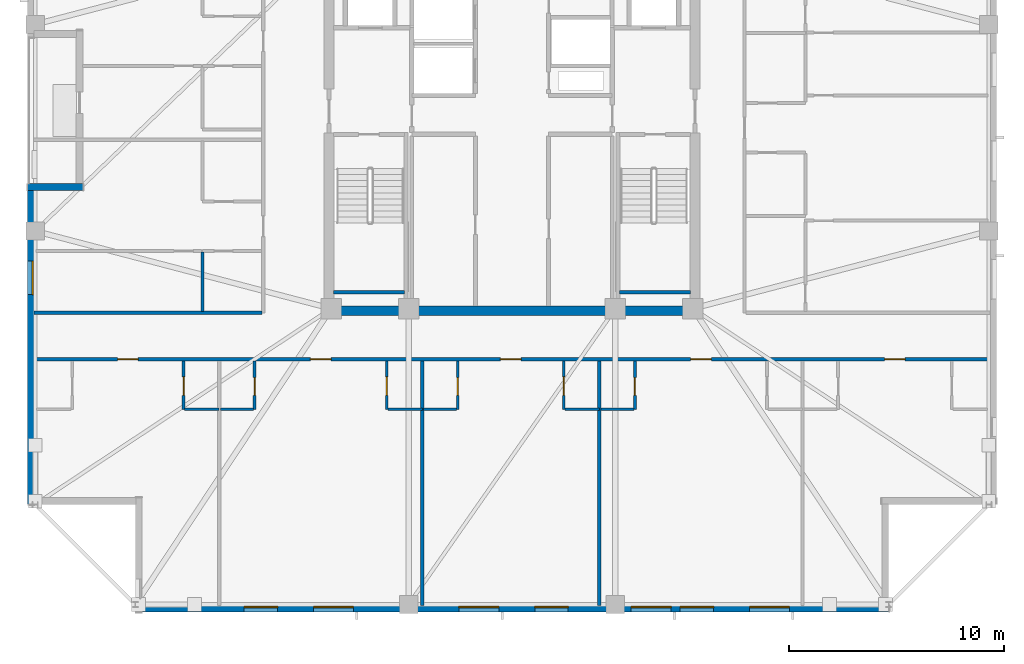
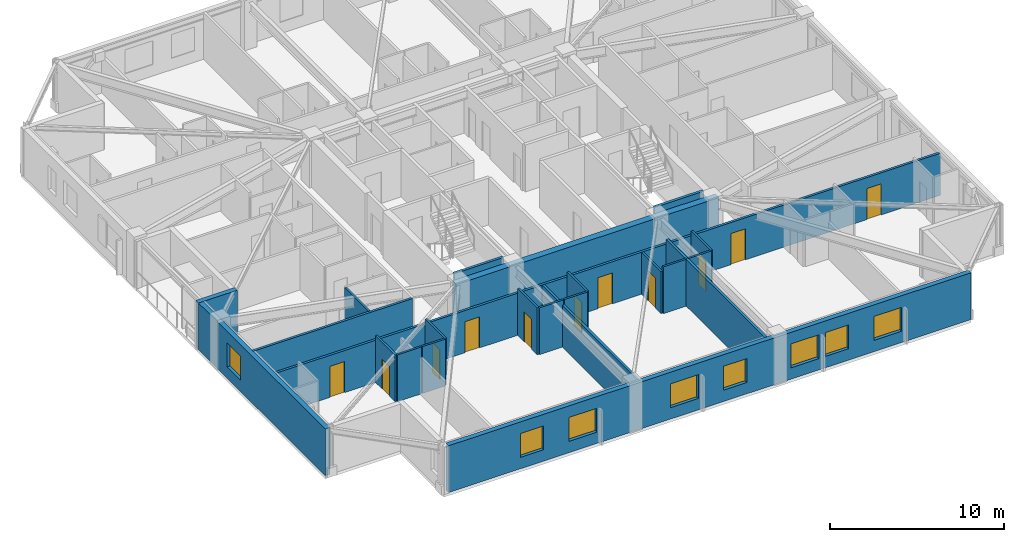
# One storey, part 7 of 17: 23 walls, 11 doors, 8 windows, 19 openings.
"""IFC4 building model written with IfcOpenShell, lengths in metres."""

from ifc_helpers import new_model, si_unit, direction, frame, frame_2d, origin, place, context, subcontext, project, spatial, rectangle, extrude, material, layer, layer_set, type_object, element, fill, save


model = new_model("IFC4")

# Units and contexts
model_context = context("Model", 3, precision=1e-05, world=origin(), true_north=direction((0.0, 1.0)))
body_context = subcontext(model_context, "Body", "Model", "MODEL_VIEW")
ifc_project = project(units=[si_unit("LENGTHUNIT", "METRE"), si_unit("AREAUNIT", "SQUARE_METRE"), si_unit("VOLUMEUNIT", "CUBIC_METRE"), si_unit("PLANEANGLEUNIT", "RADIAN"), si_unit("MASSUNIT", "GRAM", prefix="KILO")], contexts=[model_context])

# Site, building, storey
site_placement = place(None, origin())
site = spatial("IfcSite", under=ifc_project, at=site_placement, CompositionType="ELEMENT")
building_placement = place(site_placement, origin())
building = spatial("IfcBuilding", under=site, at=building_placement, Name="Cairnveth Concourse Tower", CompositionType="ELEMENT")
storey_placement = place(building_placement, frame((0.0, 0.0, 244.5)))
storey = spatial("IfcBuildingStorey", under=building, at=storey_placement, Name="L67", CompositionType="ELEMENT", Elevation=244.5)

# Wall, openings, doors
ifc_material_1 = material(Name="Gypsum Plasterboard Partition", Category="gypsum")
ifc_layer_1 = layer(ifc_material_1, 0.159912109375)
ifc_layer_set_1 = layer_set([ifc_layer_1], Name="Gypsum Plasterboard Partition")
wall_type_1 = type_object("IfcWallType", Name="ACOUSTIC PARTY WALL 180", PredefinedType="PARTITIONING", material=ifc_layer_set_1)
wall_1_placement = place(storey_placement, frame((29.804931640625, 28.25244140625, 0.0), z_axis=(0.0, 0.0, 1.0), x_axis=(1.0, 0.0, 0.0)))
wall_1 = element("IfcWall", 1, at=wall_1_placement, inside=storey, type_object=wall_type_1, Name="Interior Wall IW-L67-034", PredefinedType="PARTITIONING", context=body_context, shape_type="SweptSolid", body=[
    extrude(rectangle(XDim=44.39013671875, YDim=0.159912109375, at=frame_2d((22.195068359375, 0.0))), origin(), (0.0, 0.0, 1.0), 2.9580078125),
])
opening_1_placement = place(wall_1_placement, frame((3.872314453125, 0.0, 0.0)))
opening_1 = element("IfcOpeningElement", 2, at=opening_1_placement, cuts=wall_1, Name="Opening ID10", PredefinedType="OPENING", context=body_context, shape_type="SweptSolid", body=[
    extrude(rectangle(XDim=0.9599609375, YDim=2.179931640625, at=frame_2d((0.47998046875, 1.08984375))), frame((0.0, 0.08984375, 0.0), z_axis=(0.0, -1.0, 0.0), x_axis=(1.0, 0.0, 0.0)), (0.0, 0.0, 1.0), 0.179931640625),
])
opening_2_placement = place(wall_1_placement, frame((12.827880859375, 0.0, 0.0)))
opening_2 = element("IfcOpeningElement", 3, at=opening_2_placement, cuts=wall_1, Name="Opening ID10", PredefinedType="OPENING", context=body_context, shape_type="SweptSolid", body=[
    extrude(rectangle(XDim=0.9599609375, YDim=2.179931640625, at=frame_2d((0.47998046875, 1.08984375))), frame((0.0, 0.08984375, 0.0), z_axis=(0.0, -1.0, 0.0), x_axis=(1.0, 0.0, 0.0)), (0.0, 0.0, 1.0), 0.179931640625),
])
opening_3_placement = place(wall_1_placement, frame((21.659912109375, 0.0, 0.0)))
opening_3 = element("IfcOpeningElement", 4, at=opening_3_placement, cuts=wall_1, Name="Opening ID10", PredefinedType="OPENING", context=body_context, shape_type="SweptSolid", body=[
    extrude(rectangle(XDim=0.9599609375, YDim=2.179931640625, at=frame_2d((0.47998046875, 1.08984375))), frame((0.0, 0.08984375, 0.0), z_axis=(0.0, -1.0, 0.0), x_axis=(1.0, 0.0, 0.0)), (0.0, 0.0, 1.0), 0.179931640625),
])
opening_4_placement = place(wall_1_placement, frame((30.491943359375, 0.0, 0.0)))
opening_4 = element("IfcOpeningElement", 5, at=opening_4_placement, cuts=wall_1, Name="Opening ID10", PredefinedType="OPENING", context=body_context, shape_type="SweptSolid", body=[
    extrude(rectangle(XDim=0.9599609375, YDim=2.179931640625, at=frame_2d((0.47998046875, 1.08984375))), frame((0.0, 0.08984375, 0.0), z_axis=(0.0, -1.0, 0.0), x_axis=(1.0, 0.0, 0.0)), (0.0, 0.0, 1.0), 0.179931640625),
])
opening_5_placement = place(wall_1_placement, frame((39.502685546875, 0.0, 0.0)))
opening_5 = element("IfcOpeningElement", 6, at=opening_5_placement, cuts=wall_1, Name="Opening ID10", PredefinedType="OPENING", context=body_context, shape_type="SweptSolid", body=[
    extrude(rectangle(XDim=0.9599609375, YDim=2.179931640625, at=frame_2d((0.47998046875, 1.08984375))), frame((0.0, 0.08984375, 0.0), z_axis=(0.0, -1.0, 0.0), x_axis=(1.0, 0.0, 0.0)), (0.0, 0.0, 1.0), 0.179931640625),
])
ifc_material_2 = material(Name="Solid Core Hardwood Timber Leaf", Category="wood")
door_type_1 = type_object("IfcDoorType", Name="FLAT ENTRANCE DOOR 960X2150", OperationType="NOTDEFINED", PredefinedType="DOOR", material=ifc_material_2)
door_1_placement = place(opening_1_placement, origin())
door_1 = element("IfcDoor", 7, at=door_1_placement, inside=storey, type_object=door_type_1, Name="Studio L67STS1 Entrance Door", OperationType="SINGLE_SWING_LEFT", OverallHeight=2.179931640625, OverallWidth=0.9599609375, PredefinedType="DOOR", context=body_context, shape_type="SweptSolid", body=[
    extrude(rectangle(XDim=0.9599609375, YDim=2.179931640625, at=frame_2d((0.47998046875, 1.08984375))), frame((0.0, 0.02490234375, 0.0), z_axis=(0.0, -1.0, 0.0), x_axis=(1.0, 0.0, 0.0)), (0.0, 0.0, 1.0), 0.050048828125),
])
fill(opening_1, door_1)
door_2_placement = place(opening_2_placement, origin())
door_2 = element("IfcDoor", 8, at=door_2_placement, inside=storey, type_object=door_type_1, Name="Studio L67STS2 Entrance Door", OperationType="SINGLE_SWING_RIGHT", OverallHeight=2.179931640625, OverallWidth=0.9599609375, PredefinedType="DOOR", context=body_context, shape_type="SweptSolid", body=[
    extrude(rectangle(XDim=0.9599609375, YDim=2.179931640625, at=frame_2d((0.47998046875, 1.08984375))), frame((0.0, 0.02490234375, 0.0), z_axis=(0.0, -1.0, 0.0), x_axis=(1.0, 0.0, 0.0)), (0.0, 0.0, 1.0), 0.050048828125),
])
fill(opening_2, door_2)
door_3_placement = place(opening_3_placement, origin())
door_3 = element("IfcDoor", 9, at=door_3_placement, inside=storey, type_object=door_type_1, Name="Studio L67STS3 Entrance Door", OperationType="SINGLE_SWING_LEFT", OverallHeight=2.179931640625, OverallWidth=0.9599609375, PredefinedType="DOOR", context=body_context, shape_type="SweptSolid", body=[
    extrude(rectangle(XDim=0.9599609375, YDim=2.179931640625, at=frame_2d((0.47998046875, 1.08984375))), frame((0.0, 0.02490234375, 0.0), z_axis=(0.0, -1.0, 0.0), x_axis=(1.0, 0.0, 0.0)), (0.0, 0.0, 1.0), 0.050048828125),
])
fill(opening_3, door_3)
door_4_placement = place(opening_4_placement, origin())
door_4 = element("IfcDoor", 10, at=door_4_placement, inside=storey, type_object=door_type_1, Name="Studio L67STS4 Entrance Door", OperationType="SINGLE_SWING_RIGHT", OverallHeight=2.179931640625, OverallWidth=0.9599609375, PredefinedType="DOOR", context=body_context, shape_type="SweptSolid", body=[
    extrude(rectangle(XDim=0.9599609375, YDim=2.179931640625, at=frame_2d((0.47998046875, 1.08984375))), frame((0.0, 0.02490234375, 0.0), z_axis=(0.0, -1.0, 0.0), x_axis=(1.0, 0.0, 0.0)), (0.0, 0.0, 1.0), 0.050048828125),
])
fill(opening_4, door_4)
door_5_placement = place(opening_5_placement, origin())
door_5 = element("IfcDoor", 11, at=door_5_placement, inside=storey, type_object=door_type_1, Name="Studio L67STS5 Entrance Door", OperationType="SINGLE_SWING_LEFT", OverallHeight=2.179931640625, OverallWidth=0.9599609375, PredefinedType="DOOR", context=body_context, shape_type="SweptSolid", body=[
    extrude(rectangle(XDim=0.9599609375, YDim=2.179931640625, at=frame_2d((0.47998046875, 1.08984375))), frame((0.0, 0.02490234375, 0.0), z_axis=(0.0, -1.0, 0.0), x_axis=(1.0, 0.0, 0.0)), (0.0, 0.0, 1.0), 0.050048828125),
])
fill(opening_5, door_5)

# Walls
wall_2_placement = place(storey_placement, frame((29.804931640625, 30.39990234375, 0.0), z_axis=(0.0, 0.0, 1.0), x_axis=(1.0, 0.0, 0.0)))
element("IfcWall", 12, at=wall_2_placement, inside=storey, type_object=wall_type_1, Name="Interior Wall IW-L67-038", PredefinedType="PARTITIONING", context=body_context, shape_type="SweptSolid", body=[
    extrude(rectangle(XDim=10.580078125, YDim=0.159912109375, at=frame_2d((5.2900390625, 0.0))), origin(), (0.0, 0.0, 1.0), 3.2900390625),
])
wall_3_placement = place(storey_placement, frame((47.83154296875, 16.804931640625, 0.0), z_axis=(0.0, 0.0, 1.0), x_axis=(0.0, 1.0, 0.0)))
element("IfcWall", 13, at=wall_3_placement, inside=storey, type_object=wall_type_1, Name="Interior Wall IW-L67-051", PredefinedType="PARTITIONING", context=body_context, shape_type="SweptSolid", body=[
    extrude(rectangle(XDim=11.36767578125, YDim=0.159912109375, at=frame_2d((5.683837890625, 0.0))), origin(), (0.0, 0.0, 1.0), 2.9580078125),
])
wall_4_placement = place(storey_placement, frame((56.05859375, 16.804931640625, 0.0), z_axis=(0.0, 0.0, 1.0), x_axis=(0.0, 1.0, 0.0)))
element("IfcWall", 14, at=wall_4_placement, inside=storey, type_object=wall_type_1, Name="Interior Wall IW-L67-056", PredefinedType="PARTITIONING", context=body_context, shape_type="SweptSolid", body=[
    extrude(rectangle(XDim=11.36767578125, YDim=0.159912109375, at=frame_2d((5.683837890625, 0.0))), origin(), (0.0, 0.0, 1.0), 3.2900390625),
])
ifc_material_3 = material(Name="Concrete N65 (65 MPa)", Category="concrete")
ifc_layer_2 = layer(ifc_material_3, 0.449951171875)
ifc_layer_set_2 = layer_set([ifc_layer_2], Name="Concrete N65 (65 MPa)")
wall_type_2 = type_object("IfcWallType", Name="CORE SHEAR WALL 450", PredefinedType="SHEAR", material=ifc_layer_set_2)
wall_5_placement = place(storey_placement, frame((43.27490234375, 30.5, 0.0), z_axis=(0.0, 0.0, 1.0), x_axis=(1.0, 0.0, 0.0)))
element("IfcWall", 15, at=wall_5_placement, inside=storey, type_object=wall_type_2, Name="Core South Shear Wall L67", PredefinedType="SHEAR", context=body_context, shape_type="SweptSolid", body=[
    extrude(rectangle(XDim=17.4501953125, YDim=0.449951171875, at=frame_2d((8.72509765625, 0.0))), origin(), (0.0, 0.0, 1.0), 3.2900390625),
])
ifc_material_4 = material(Name="Concrete N50 (50 MPa)", Category="concrete")
ifc_layer_3 = layer(ifc_material_4, 0.179931640625)
ifc_layer_set_3 = layer_set([ifc_layer_3], Name="Concrete N50 (50 MPa)")
wall_type_3 = type_object("IfcWallType", Name="FIRE SHAFT WALL 180", PredefinedType="SOLIDWALL", material=ifc_layer_set_3)
for number, where, z_axis, x_axis, name in (
    (16, (43.715087890625, 31.360107421875, 0.0), (0.0, 0.0, 1.0), (1.0, 0.0, 0.0), "Stair ST-1 Shaft Wall FAR L67"),
    (17, (57.0048828125, 31.360107421875, 0.0), (0.0, 0.0, 1.0), (1.0, 0.0, 0.0), "Stair ST-2 Shaft Wall FAR L67"),
):
    element("IfcWall", number, at=place(storey_placement, frame(where, z_axis=z_axis, x_axis=x_axis)), inside=storey, type_object=wall_type_3, Name=name, PredefinedType="SOLIDWALL", context=body_context, shape_type="SweptSolid", body=[
        extrude(rectangle(XDim=3.280029296875, YDim=0.179931640625, at=frame_2d((1.64013671875, 0.0))), origin(), (0.0, 0.0, 1.0), 3.2900390625),
    ])

# Wall, opening, door
ifc_layer_4 = layer(ifc_material_1, 0.1298828125)
ifc_layer_set_4 = layer_set([ifc_layer_4], Name="Gypsum Plasterboard Partition")
wall_type_4 = type_object("IfcWallType", Name="WET AREA PARTITION 140", PredefinedType="PLUMBINGWALL", material=ifc_layer_set_4)
wall_6_placement = place(storey_placement, frame((36.744384765625, 25.922607421875, 0.0), z_axis=(0.0, 0.0, 1.0), x_axis=(0.0, 1.0, 0.0)))
wall_6 = element("IfcWall", 18, at=wall_6_placement, inside=storey, type_object=wall_type_4, Name="Interior Wall IW-L67-044", PredefinedType="PLUMBINGWALL", context=body_context, shape_type="SweptSolid", body=[
    extrude(rectangle(XDim=2.25, YDim=0.1298828125, at=frame_2d((1.125, 0.0))), origin(), (0.0, 0.0, 1.0), 3.2900390625),
])
opening_6_placement = place(wall_6_placement, frame((0.64990234375, 0.0, 0.0)))
opening_6 = element("IfcOpeningElement", 19, at=opening_6_placement, cuts=wall_6, Name="Opening ID20", PredefinedType="OPENING", context=body_context, shape_type="SweptSolid", body=[
    extrude(rectangle(XDim=0.85009765625, YDim=2.10009765625, at=frame_2d((0.425048828125, 1.050048828125))), frame((0.0, 0.074951171875, 0.0), z_axis=(0.0, -1.0, 0.0), x_axis=(1.0, 0.0, 0.0)), (0.0, 0.0, 1.0), 0.14990234375),
])
door_type_2 = type_object("IfcDoorType", Name="INTERIOR SINGLE DOOR 850X2100", OperationType="NOTDEFINED", PredefinedType="DOOR", material=ifc_material_2)
door_6_placement = place(opening_6_placement, origin())
door_6 = element("IfcDoor", 20, at=door_6_placement, inside=storey, type_object=door_type_2, Name="L67STS1 Kitchen Door", OperationType="SINGLE_SWING_RIGHT", OverallHeight=2.10009765625, OverallWidth=0.85009765625, PredefinedType="DOOR", context=body_context, shape_type="SweptSolid", body=[
    extrude(rectangle(XDim=0.85009765625, YDim=2.10009765625, at=frame_2d((0.425048828125, 1.050048828125))), frame((0.0, 0.02490234375, 0.0), z_axis=(0.0, -1.0, 0.0), x_axis=(1.0, 0.0, 0.0)), (0.0, 0.0, 1.0), 0.050048828125),
])
fill(opening_6, door_6)

# Wall
wall_7_placement = place(storey_placement, frame((36.79443359375, 25.922607421875, 0.0), z_axis=(0.0, 0.0, 1.0), x_axis=(1.0, 0.0, 0.0)))
element("IfcWall", 21, at=wall_7_placement, inside=storey, type_object=wall_type_4, Name="Interior Wall IW-L67-045", PredefinedType="PLUMBINGWALL", context=body_context, shape_type="SweptSolid", body=[
    extrude(rectangle(XDim=1.60009765625, YDim=0.1298828125, at=frame_2d((0.800048828125, 0.0))), origin(), (0.0, 0.0, 1.0), 3.2900390625),
])

# Wall, opening, door
wall_8_placement = place(storey_placement, frame((40.04443359375, 25.922607421875, 0.0), z_axis=(0.0, 0.0, 1.0), x_axis=(0.0, 1.0, 0.0)))
wall_8 = element("IfcWall", 22, at=wall_8_placement, inside=storey, type_object=wall_type_4, Name="Interior Wall IW-L67-047", PredefinedType="PLUMBINGWALL", context=body_context, shape_type="SweptSolid", body=[
    extrude(rectangle(XDim=2.25, YDim=0.1298828125, at=frame_2d((1.125, 0.0))), origin(), (0.0, 0.0, 1.0), 3.2900390625),
])
opening_7_placement = place(wall_8_placement, frame((0.64990234375, 0.0, 0.0)))
opening_7 = element("IfcOpeningElement", 23, at=opening_7_placement, cuts=wall_8, Name="Opening ID22", PredefinedType="OPENING", context=body_context, shape_type="SweptSolid", body=[
    extrude(rectangle(XDim=0.820068359375, YDim=2.10009765625, at=frame_2d((0.41015625, 1.050048828125))), frame((0.0, 0.074951171875, 0.0), z_axis=(0.0, -1.0, 0.0), x_axis=(1.0, 0.0, 0.0)), (0.0, 0.0, 1.0), 0.14990234375),
])
door_type_3 = type_object("IfcDoorType", Name="INTERIOR WC DOOR 820X2100", OperationType="NOTDEFINED", PredefinedType="DOOR", material=ifc_material_2)
door_7_placement = place(opening_7_placement, origin())
door_7 = element("IfcDoor", 24, at=door_7_placement, inside=storey, type_object=door_type_3, Name="L67STS2 Bathroom Door", OperationType="SINGLE_SWING_RIGHT", OverallHeight=2.10009765625, OverallWidth=0.820068359375, PredefinedType="DOOR", context=body_context, shape_type="SweptSolid", body=[
    extrude(rectangle(XDim=0.820068359375, YDim=2.10009765625, at=frame_2d((0.41015625, 1.050048828125))), frame((0.0, 0.02490234375, 0.0), z_axis=(0.0, -1.0, 0.0), x_axis=(1.0, 0.0, 0.0)), (0.0, 0.0, 1.0), 0.050048828125),
])
fill(opening_7, door_7)

# Wall
wall_9_placement = place(storey_placement, frame((38.45947265625, 25.922607421875, 0.0), z_axis=(0.0, 0.0, 1.0), x_axis=(1.0, 0.0, 0.0)))
element("IfcWall", 25, at=wall_9_placement, inside=storey, type_object=wall_type_4, Name="Interior Wall IW-L67-048", PredefinedType="PLUMBINGWALL", context=body_context, shape_type="SweptSolid", body=[
    extrude(rectangle(XDim=1.534912109375, YDim=0.1298828125, at=frame_2d((0.767578125, 0.0))), origin(), (0.0, 0.0, 1.0), 3.2900390625),
])

# Wall, opening, door
wall_10_placement = place(storey_placement, frame((46.181396484375, 25.922607421875, 0.0), z_axis=(0.0, 0.0, 1.0), x_axis=(0.0, 1.0, 0.0)))
wall_10 = element("IfcWall", 26, at=wall_10_placement, inside=storey, type_object=wall_type_4, Name="Interior Wall IW-L67-049", PredefinedType="PLUMBINGWALL", context=body_context, shape_type="SweptSolid", body=[
    extrude(rectangle(XDim=2.25, YDim=0.1298828125, at=frame_2d((1.125, 0.0))), origin(), (0.0, 0.0, 1.0), 3.2900390625),
])
opening_8_placement = place(wall_10_placement, frame((0.64990234375, 0.0, 0.0)))
opening_8 = element("IfcOpeningElement", 27, at=opening_8_placement, cuts=wall_10, Name="Opening ID20", PredefinedType="OPENING", context=body_context, shape_type="SweptSolid", body=[
    extrude(rectangle(XDim=0.85009765625, YDim=2.10009765625, at=frame_2d((0.425048828125, 1.050048828125))), frame((0.0, 0.074951171875, 0.0), z_axis=(0.0, -1.0, 0.0), x_axis=(1.0, 0.0, 0.0)), (0.0, 0.0, 1.0), 0.14990234375),
])
door_8_placement = place(opening_8_placement, origin())
door_8 = element("IfcDoor", 28, at=door_8_placement, inside=storey, type_object=door_type_2, Name="L67STS2 Kitchen Door", OperationType="SINGLE_SWING_LEFT", OverallHeight=2.10009765625, OverallWidth=0.85009765625, PredefinedType="DOOR", context=body_context, shape_type="SweptSolid", body=[
    extrude(rectangle(XDim=0.85009765625, YDim=2.10009765625, at=frame_2d((0.425048828125, 1.050048828125))), frame((0.0, 0.02490234375, 0.0), z_axis=(0.0, -1.0, 0.0), x_axis=(1.0, 0.0, 0.0)), (0.0, 0.0, 1.0), 0.050048828125),
])
fill(opening_8, door_8)

# Wall
wall_11_placement = place(storey_placement, frame((46.2314453125, 25.922607421875, 0.0), z_axis=(0.0, 0.0, 1.0), x_axis=(1.0, 0.0, 0.0)))
element("IfcWall", 29, at=wall_11_placement, inside=storey, type_object=wall_type_4, Name="Interior Wall IW-L67-050", PredefinedType="PLUMBINGWALL", context=body_context, shape_type="SweptSolid", body=[
    extrude(rectangle(XDim=1.60009765625, YDim=0.1298828125, at=frame_2d((0.800048828125, 0.0))), origin(), (0.0, 0.0, 1.0), 3.2900390625),
])

# Wall, opening, door
wall_12_placement = place(storey_placement, frame((49.4814453125, 25.922607421875, 0.0), z_axis=(0.0, 0.0, 1.0), x_axis=(0.0, 1.0, 0.0)))
wall_12 = element("IfcWall", 30, at=wall_12_placement, inside=storey, type_object=wall_type_4, Name="Interior Wall IW-L67-052", PredefinedType="PLUMBINGWALL", context=body_context, shape_type="SweptSolid", body=[
    extrude(rectangle(XDim=2.25, YDim=0.1298828125, at=frame_2d((1.125, 0.0))), origin(), (0.0, 0.0, 1.0), 3.2900390625),
])
opening_9_placement = place(wall_12_placement, frame((0.64990234375, 0.0, 0.0)))
opening_9 = element("IfcOpeningElement", 31, at=opening_9_placement, cuts=wall_12, Name="Opening ID22", PredefinedType="OPENING", context=body_context, shape_type="SweptSolid", body=[
    extrude(rectangle(XDim=0.820068359375, YDim=2.10009765625, at=frame_2d((0.41015625, 1.050048828125))), frame((0.0, 0.074951171875, 0.0), z_axis=(0.0, -1.0, 0.0), x_axis=(1.0, 0.0, 0.0)), (0.0, 0.0, 1.0), 0.14990234375),
])
door_9_placement = place(opening_9_placement, origin())
door_9 = element("IfcDoor", 32, at=door_9_placement, inside=storey, type_object=door_type_3, Name="L67STS3 Bathroom Door", OperationType="SINGLE_SWING_LEFT", OverallHeight=2.10009765625, OverallWidth=0.820068359375, PredefinedType="DOOR", context=body_context, shape_type="SweptSolid", body=[
    extrude(rectangle(XDim=0.820068359375, YDim=2.10009765625, at=frame_2d((0.41015625, 1.050048828125))), frame((0.0, 0.02490234375, 0.0), z_axis=(0.0, -1.0, 0.0), x_axis=(1.0, 0.0, 0.0)), (0.0, 0.0, 1.0), 0.050048828125),
])
fill(opening_9, door_9)

# Wall
wall_13_placement = place(storey_placement, frame((47.896484375, 25.922607421875, 0.0), z_axis=(0.0, 0.0, 1.0), x_axis=(1.0, 0.0, 0.0)))
element("IfcWall", 33, at=wall_13_placement, inside=storey, type_object=wall_type_4, Name="Interior Wall IW-L67-053", PredefinedType="PLUMBINGWALL", context=body_context, shape_type="SweptSolid", body=[
    extrude(rectangle(XDim=1.534912109375, YDim=0.1298828125, at=frame_2d((0.767578125, 0.0))), origin(), (0.0, 0.0, 1.0), 3.2900390625),
])

# Wall, opening, door
wall_14_placement = place(storey_placement, frame((54.408447265625, 25.922607421875, 0.0), z_axis=(0.0, 0.0, 1.0), x_axis=(0.0, 1.0, 0.0)))
wall_14 = element("IfcWall", 34, at=wall_14_placement, inside=storey, type_object=wall_type_4, Name="Interior Wall IW-L67-054", PredefinedType="PLUMBINGWALL", context=body_context, shape_type="SweptSolid", body=[
    extrude(rectangle(XDim=2.25, YDim=0.1298828125, at=frame_2d((1.125, 0.0))), origin(), (0.0, 0.0, 1.0), 2.9580078125),
])
opening_10_placement = place(wall_14_placement, frame((0.64990234375, 0.0, 0.0)))
opening_10 = element("IfcOpeningElement", 35, at=opening_10_placement, cuts=wall_14, Name="Opening ID20", PredefinedType="OPENING", context=body_context, shape_type="SweptSolid", body=[
    extrude(rectangle(XDim=0.85009765625, YDim=2.10009765625, at=frame_2d((0.425048828125, 1.050048828125))), frame((0.0, 0.074951171875, 0.0), z_axis=(0.0, -1.0, 0.0), x_axis=(1.0, 0.0, 0.0)), (0.0, 0.0, 1.0), 0.14990234375),
])
door_10_placement = place(opening_10_placement, origin())
door_10 = element("IfcDoor", 36, at=door_10_placement, inside=storey, type_object=door_type_2, Name="L67STS3 Kitchen Door", OperationType="SINGLE_SWING_RIGHT", OverallHeight=2.10009765625, OverallWidth=0.85009765625, PredefinedType="DOOR", context=body_context, shape_type="SweptSolid", body=[
    extrude(rectangle(XDim=0.85009765625, YDim=2.10009765625, at=frame_2d((0.425048828125, 1.050048828125))), frame((0.0, 0.02490234375, 0.0), z_axis=(0.0, -1.0, 0.0), x_axis=(1.0, 0.0, 0.0)), (0.0, 0.0, 1.0), 0.050048828125),
])
fill(opening_10, door_10)

# Wall
wall_15_placement = place(storey_placement, frame((54.45849609375, 25.922607421875, 0.0), z_axis=(0.0, 0.0, 1.0), x_axis=(1.0, 0.0, 0.0)))
element("IfcWall", 37, at=wall_15_placement, inside=storey, type_object=wall_type_4, Name="Interior Wall IW-L67-055", PredefinedType="PLUMBINGWALL", context=body_context, shape_type="SweptSolid", body=[
    extrude(rectangle(XDim=1.60009765625, YDim=0.1298828125, at=frame_2d((0.800048828125, 0.0))), origin(), (0.0, 0.0, 1.0), 3.2900390625),
])

# Wall, opening, door
wall_16_placement = place(storey_placement, frame((57.70849609375, 25.922607421875, 0.0), z_axis=(0.0, 0.0, 1.0), x_axis=(0.0, 1.0, 0.0)))
wall_16 = element("IfcWall", 38, at=wall_16_placement, inside=storey, type_object=wall_type_4, Name="Interior Wall IW-L67-057", PredefinedType="PLUMBINGWALL", context=body_context, shape_type="SweptSolid", body=[
    extrude(rectangle(XDim=2.25, YDim=0.1298828125, at=frame_2d((1.125, 0.0))), origin(), (0.0, 0.0, 1.0), 3.2900390625),
])
opening_11_placement = place(wall_16_placement, frame((0.64990234375, 0.0, 0.0)))
opening_11 = element("IfcOpeningElement", 39, at=opening_11_placement, cuts=wall_16, Name="Opening ID22", PredefinedType="OPENING", context=body_context, shape_type="SweptSolid", body=[
    extrude(rectangle(XDim=0.820068359375, YDim=2.10009765625, at=frame_2d((0.41015625, 1.050048828125))), frame((0.0, 0.074951171875, 0.0), z_axis=(0.0, -1.0, 0.0), x_axis=(1.0, 0.0, 0.0)), (0.0, 0.0, 1.0), 0.14990234375),
])
door_11_placement = place(opening_11_placement, origin())
door_11 = element("IfcDoor", 40, at=door_11_placement, inside=storey, type_object=door_type_3, Name="L67STS4 Bathroom Door", OperationType="SINGLE_SWING_RIGHT", OverallHeight=2.10009765625, OverallWidth=0.820068359375, PredefinedType="DOOR", context=body_context, shape_type="SweptSolid", body=[
    extrude(rectangle(XDim=0.820068359375, YDim=2.10009765625, at=frame_2d((0.41015625, 1.050048828125))), frame((0.0, 0.02490234375, 0.0), z_axis=(0.0, -1.0, 0.0), x_axis=(1.0, 0.0, 0.0)), (0.0, 0.0, 1.0), 0.050048828125),
])
fill(opening_11, door_11)

# Walls
wall_17_placement = place(storey_placement, frame((56.12353515625, 25.922607421875, 0.0), z_axis=(0.0, 0.0, 1.0), x_axis=(1.0, 0.0, 0.0)))
element("IfcWall", 41, at=wall_17_placement, inside=storey, type_object=wall_type_4, Name="Interior Wall IW-L67-058", PredefinedType="PLUMBINGWALL", context=body_context, shape_type="SweptSolid", body=[
    extrude(rectangle(XDim=1.534912109375, YDim=0.1298828125, at=frame_2d((0.767578125, 0.0))), origin(), (0.0, 0.0, 1.0), 3.2900390625),
])
wall_18_placement = place(storey_placement, frame((37.6201171875, 30.465087890625, 0.0), z_axis=(0.0, 0.0, 1.0), x_axis=(0.0, 1.0, 0.0)))
element("IfcWall", 42, at=wall_18_placement, inside=storey, type_object=wall_type_4, Name="Interior Wall IW-L67-097", PredefinedType="PLUMBINGWALL", context=body_context, shape_type="SweptSolid", body=[
    extrude(rectangle(XDim=2.760009765625, YDim=0.1298828125, at=frame_2d((1.3798828125, 0.0))), origin(), (0.0, 0.0, 1.0), 3.2900390625),
])

# Wall, openings, windows
ifc_material_5 = material(Name="Melbourne Buff Fired Clay Brick Masonry", Category="masonry")
ifc_layer_5 = layer(ifc_material_5, 0.320068359375)
ifc_layer_set_5 = layer_set([ifc_layer_5], Name="Melbourne Buff Fired Clay Brick Masonry")
wall_type_5 = type_object("IfcWallType", Name="ZONE 3 BRICK PIER SPANDREL WALL 320", PredefinedType="SOLIDWALL", material=ifc_layer_set_5)
wall_19_placement = place(storey_placement, frame((69.5, 16.659912109375, 0.0), z_axis=(0.0, 0.0, 1.0), x_axis=(-1.0, 0.0, 0.0)))
wall_19 = element("IfcWall", 43, at=wall_19_placement, inside=storey, type_object=wall_type_5, Name="Exterior Wall EW-L67-S09", PredefinedType="SOLIDWALL", context=body_context, shape_type="SweptSolid", body=[
    extrude(rectangle(XDim=34.701904296875, YDim=0.320068359375, at=frame_2d((17.35107421875, 0.0))), origin(), (0.0, 0.0, 1.0), 3.2900390625),
])
opening_12_placement = place(wall_19_placement, frame((4.612548828125, 0.0, 0.800048828125)))
opening_12 = element("IfcOpeningElement", 44, at=opening_12_placement, cuts=wall_19, Name="Opening W08", PredefinedType="OPENING", context=body_context, shape_type="SweptSolid", body=[
    extrude(rectangle(XDim=1.85009765625, YDim=1.677978515625, at=frame_2d((0.925048828125, 0.8388671875))), frame((0.0, 0.169921875, 0.0), z_axis=(0.0, -1.0, 0.0), x_axis=(1.0, 0.0, 0.0)), (0.0, 0.0, 1.0), 0.340087890625),
])
opening_13_placement = place(wall_19_placement, frame((8.137939453125, 0.0, 0.800048828125)))
opening_13 = element("IfcOpeningElement", 45, at=opening_13_placement, cuts=wall_19, Name="Opening W07", PredefinedType="OPENING", context=body_context, shape_type="SweptSolid", body=[
    extrude(rectangle(XDim=1.550048828125, YDim=1.677978515625, at=frame_2d((0.77490234375, 0.8388671875))), frame((0.0, 0.169921875, 0.0), z_axis=(0.0, -1.0, 0.0), x_axis=(1.0, 0.0, 0.0)), (0.0, 0.0, 1.0), 0.340087890625),
])
opening_14_placement = place(wall_19_placement, frame((10.113037109375, 0.0, 0.800048828125)))
opening_14 = element("IfcOpeningElement", 46, at=opening_14_placement, cuts=wall_19, Name="Opening W08", PredefinedType="OPENING", context=body_context, shape_type="SweptSolid", body=[
    extrude(rectangle(XDim=1.85009765625, YDim=1.677978515625, at=frame_2d((0.925048828125, 0.8388671875))), frame((0.0, 0.169921875, 0.0), z_axis=(0.0, -1.0, 0.0), x_axis=(1.0, 0.0, 0.0)), (0.0, 0.0, 1.0), 0.340087890625),
])
opening_15_placement = place(wall_19_placement, frame((14.888427734375, 0.0, 0.800048828125)))
opening_15 = element("IfcOpeningElement", 47, at=opening_15_placement, cuts=wall_19, Name="Opening W07", PredefinedType="OPENING", context=body_context, shape_type="SweptSolid", body=[
    extrude(rectangle(XDim=1.550048828125, YDim=1.677978515625, at=frame_2d((0.77490234375, 0.8388671875))), frame((0.0, 0.169921875, 0.0), z_axis=(0.0, -1.0, 0.0), x_axis=(1.0, 0.0, 0.0)), (0.0, 0.0, 1.0), 0.340087890625),
])
opening_16_placement = place(wall_19_placement, frame((18.113525390625, 0.0, 0.800048828125)))
opening_16 = element("IfcOpeningElement", 48, at=opening_16_placement, cuts=wall_19, Name="Opening W08", PredefinedType="OPENING", context=body_context, shape_type="SweptSolid", body=[
    extrude(rectangle(XDim=1.85009765625, YDim=1.677978515625, at=frame_2d((0.925048828125, 0.8388671875))), frame((0.0, 0.169921875, 0.0), z_axis=(0.0, -1.0, 0.0), x_axis=(1.0, 0.0, 0.0)), (0.0, 0.0, 1.0), 0.340087890625),
])
opening_17_placement = place(wall_19_placement, frame((24.864013671875, 0.0, 0.800048828125)))
opening_17 = element("IfcOpeningElement", 49, at=opening_17_placement, cuts=wall_19, Name="Opening W08", PredefinedType="OPENING", context=body_context, shape_type="SweptSolid", body=[
    extrude(rectangle(XDim=1.85009765625, YDim=1.677978515625, at=frame_2d((0.925048828125, 0.8388671875))), frame((0.0, 0.169921875, 0.0), z_axis=(0.0, -1.0, 0.0), x_axis=(1.0, 0.0, 0.0)), (0.0, 0.0, 1.0), 0.340087890625),
])
opening_18_placement = place(wall_19_placement, frame((28.389404296875, 0.0, 0.800048828125)))
opening_18 = element("IfcOpeningElement", 50, at=opening_18_placement, cuts=wall_19, Name="Opening W07", PredefinedType="OPENING", context=body_context, shape_type="SweptSolid", body=[
    extrude(rectangle(XDim=1.550048828125, YDim=1.677978515625, at=frame_2d((0.77490234375, 0.8388671875))), frame((0.0, 0.169921875, 0.0), z_axis=(0.0, -1.0, 0.0), x_axis=(1.0, 0.0, 0.0)), (0.0, 0.0, 1.0), 0.340087890625),
])
ifc_material_6 = material(Name="Double Glazed Low-E Clear Glass", Category="glass")
window_type_1 = type_object("IfcWindowType", Name="DEEP-SET APARTMENT LIVING WINDOW 1850X1850", PartitioningType="DOUBLE_PANEL_VERTICAL", PredefinedType="WINDOW", material=ifc_material_6)
window_1_placement = place(opening_12_placement, origin())
window_1 = element("IfcWindow", 51, at=window_1_placement, inside=storey, type_object=window_type_1, Name="Gothic Lancet Window L67-9-1", OverallHeight=1.677978515625, OverallWidth=1.85009765625, PartitioningType="SINGLE_PANEL", PredefinedType="WINDOW", context=body_context, shape_type="SweptSolid", body=[
    extrude(rectangle(XDim=1.85009765625, YDim=1.677978515625, at=frame_2d((0.925048828125, 0.8388671875))), frame((0.0, -0.050048828125, 0.0), z_axis=(0.0, -1.0, 0.0), x_axis=(1.0, 0.0, 0.0)), (0.0, 0.0, 1.0), 0.06005859375),
])
fill(opening_12, window_1)
window_2_placement = place(opening_14_placement, origin())
window_2 = element("IfcWindow", 52, at=window_2_placement, inside=storey, type_object=window_type_1, Name="Gothic Lancet Window L67-9-3", OverallHeight=1.677978515625, OverallWidth=1.85009765625, PartitioningType="SINGLE_PANEL", PredefinedType="WINDOW", context=body_context, shape_type="SweptSolid", body=[
    extrude(rectangle(XDim=1.85009765625, YDim=1.677978515625, at=frame_2d((0.925048828125, 0.8388671875))), frame((0.0, -0.050048828125, 0.0), z_axis=(0.0, -1.0, 0.0), x_axis=(1.0, 0.0, 0.0)), (0.0, 0.0, 1.0), 0.06005859375),
])
fill(opening_14, window_2)
window_3_placement = place(opening_16_placement, origin())
window_3 = element("IfcWindow", 53, at=window_3_placement, inside=storey, type_object=window_type_1, Name="Gothic Lancet Window L67-9-5", OverallHeight=1.677978515625, OverallWidth=1.85009765625, PartitioningType="SINGLE_PANEL", PredefinedType="WINDOW", context=body_context, shape_type="SweptSolid", body=[
    extrude(rectangle(XDim=1.85009765625, YDim=1.677978515625, at=frame_2d((0.925048828125, 0.8388671875))), frame((0.0, -0.050048828125, 0.0), z_axis=(0.0, -1.0, 0.0), x_axis=(1.0, 0.0, 0.0)), (0.0, 0.0, 1.0), 0.06005859375),
])
fill(opening_16, window_3)
window_4_placement = place(opening_17_placement, origin())
window_4 = element("IfcWindow", 54, at=window_4_placement, inside=storey, type_object=window_type_1, Name="Gothic Lancet Window L67-9-7", OverallHeight=1.677978515625, OverallWidth=1.85009765625, PartitioningType="SINGLE_PANEL", PredefinedType="WINDOW", context=body_context, shape_type="SweptSolid", body=[
    extrude(rectangle(XDim=1.85009765625, YDim=1.677978515625, at=frame_2d((0.925048828125, 0.8388671875))), frame((0.0, -0.050048828125, 0.0), z_axis=(0.0, -1.0, 0.0), x_axis=(1.0, 0.0, 0.0)), (0.0, 0.0, 1.0), 0.06005859375),
])
fill(opening_17, window_4)
window_type_2 = type_object("IfcWindowType", Name="DEEP-SET APARTMENT WINDOW 1550X1800", PartitioningType="DOUBLE_PANEL_VERTICAL", PredefinedType="WINDOW", material=ifc_material_6)
window_5_placement = place(opening_13_placement, origin())
window_5 = element("IfcWindow", 55, at=window_5_placement, inside=storey, type_object=window_type_2, Name="Gothic Lancet Window L67-9-2", OverallHeight=1.677978515625, OverallWidth=1.550048828125, PartitioningType="SINGLE_PANEL", PredefinedType="WINDOW", context=body_context, shape_type="SweptSolid", body=[
    extrude(rectangle(XDim=1.550048828125, YDim=1.677978515625, at=frame_2d((0.77490234375, 0.8388671875))), frame((0.0, -0.050048828125, 0.0), z_axis=(0.0, -1.0, 0.0), x_axis=(1.0, 0.0, 0.0)), (0.0, 0.0, 1.0), 0.06005859375),
])
fill(opening_13, window_5)
window_6_placement = place(opening_15_placement, origin())
window_6 = element("IfcWindow", 56, at=window_6_placement, inside=storey, type_object=window_type_2, Name="Gothic Lancet Window L67-9-4", OverallHeight=1.677978515625, OverallWidth=1.550048828125, PartitioningType="SINGLE_PANEL", PredefinedType="WINDOW", context=body_context, shape_type="SweptSolid", body=[
    extrude(rectangle(XDim=1.550048828125, YDim=1.677978515625, at=frame_2d((0.77490234375, 0.8388671875))), frame((0.0, -0.050048828125, 0.0), z_axis=(0.0, -1.0, 0.0), x_axis=(1.0, 0.0, 0.0)), (0.0, 0.0, 1.0), 0.06005859375),
])
fill(opening_15, window_6)
window_7_placement = place(opening_18_placement, origin())
window_7 = element("IfcWindow", 57, at=window_7_placement, inside=storey, type_object=window_type_2, Name="Gothic Lancet Window L67-9-8", OverallHeight=1.677978515625, OverallWidth=1.550048828125, PartitioningType="SINGLE_PANEL", PredefinedType="WINDOW", context=body_context, shape_type="SweptSolid", body=[
    extrude(rectangle(XDim=1.550048828125, YDim=1.677978515625, at=frame_2d((0.77490234375, 0.8388671875))), frame((0.0, -0.050048828125, 0.0), z_axis=(0.0, -1.0, 0.0), x_axis=(1.0, 0.0, 0.0)), (0.0, 0.0, 1.0), 0.06005859375),
])
fill(opening_18, window_7)

# Wall, opening, window
wall_20_placement = place(storey_placement, frame((29.659912109375, 21.5, 0.0), z_axis=(0.0, 0.0, 1.0), x_axis=(0.0, 1.0, 0.0)))
wall_20 = element("IfcWall", 58, at=wall_20_placement, inside=storey, type_object=wall_type_5, Name="Exterior Wall EW-L67-S12", PredefinedType="SOLIDWALL", context=body_context, shape_type="SweptSolid", body=[
    extrude(rectangle(XDim=14.60205078125, YDim=0.320068359375, at=frame_2d((7.301025390625, 0.0))), origin(), (0.0, 0.0, 1.0), 3.2900390625),
])
opening_19_placement = place(wall_20_placement, frame((9.75146484375, 0.0, 0.800048828125)))
opening_19 = element("IfcOpeningElement", 59, at=opening_19_placement, cuts=wall_20, Name="Opening W07", PredefinedType="OPENING", context=body_context, shape_type="SweptSolid", body=[
    extrude(rectangle(XDim=1.550048828125, YDim=1.677978515625, at=frame_2d((0.77490234375, 0.8388671875))), frame((0.0, 0.169921875, 0.0), z_axis=(0.0, -1.0, 0.0), x_axis=(1.0, 0.0, 0.0)), (0.0, 0.0, 1.0), 0.340087890625),
])
window_8_placement = place(opening_19_placement, origin())
window_8 = element("IfcWindow", 60, at=window_8_placement, inside=storey, type_object=window_type_2, Name="Gothic Lancet Window L67-12-2", OverallHeight=1.677978515625, OverallWidth=1.550048828125, PartitioningType="SINGLE_PANEL", PredefinedType="WINDOW", context=body_context, shape_type="SweptSolid", body=[
    extrude(rectangle(XDim=1.550048828125, YDim=1.677978515625, at=frame_2d((0.77490234375, 0.8388671875))), frame((0.0, -0.050048828125, 0.0), z_axis=(0.0, -1.0, 0.0), x_axis=(1.0, 0.0, 0.0)), (0.0, 0.0, 1.0), 0.06005859375),
])
fill(opening_19, window_8)

# Wall
wall_21_placement = place(storey_placement, frame((29.5, 36.239990234375, 0.0), z_axis=(0.0, 0.0, 1.0), x_axis=(1.0, 0.0, 0.0)))
element("IfcWall", 61, at=wall_21_placement, inside=storey, type_object=wall_type_5, Name="Exterior Wall EW-L67-S13", PredefinedType="SOLIDWALL", context=body_context, shape_type="SweptSolid", body=[
    extrude(rectangle(XDim=2.570068359375, YDim=0.320068359375, at=frame_2d((1.28515625, 0.0))), origin(), (0.0, 0.0, 1.0), 3.2900390625),
])

save(model, "model.ifc")
